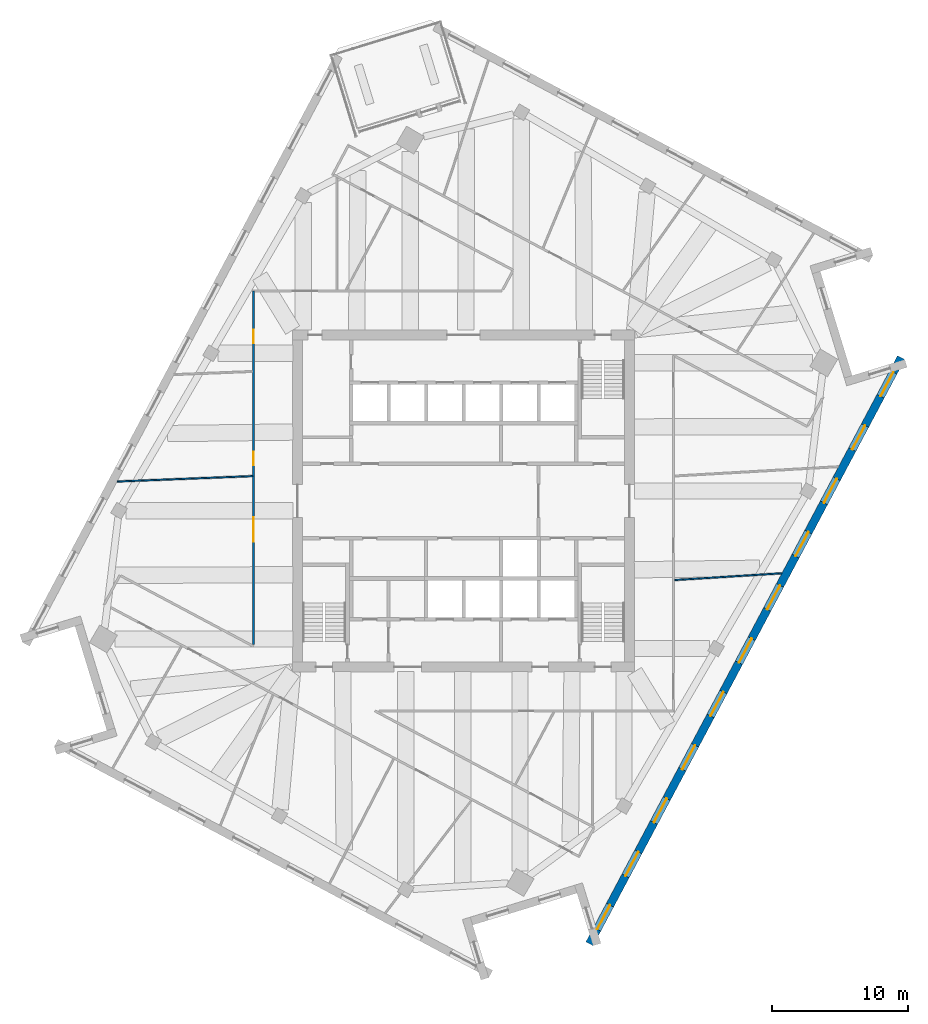
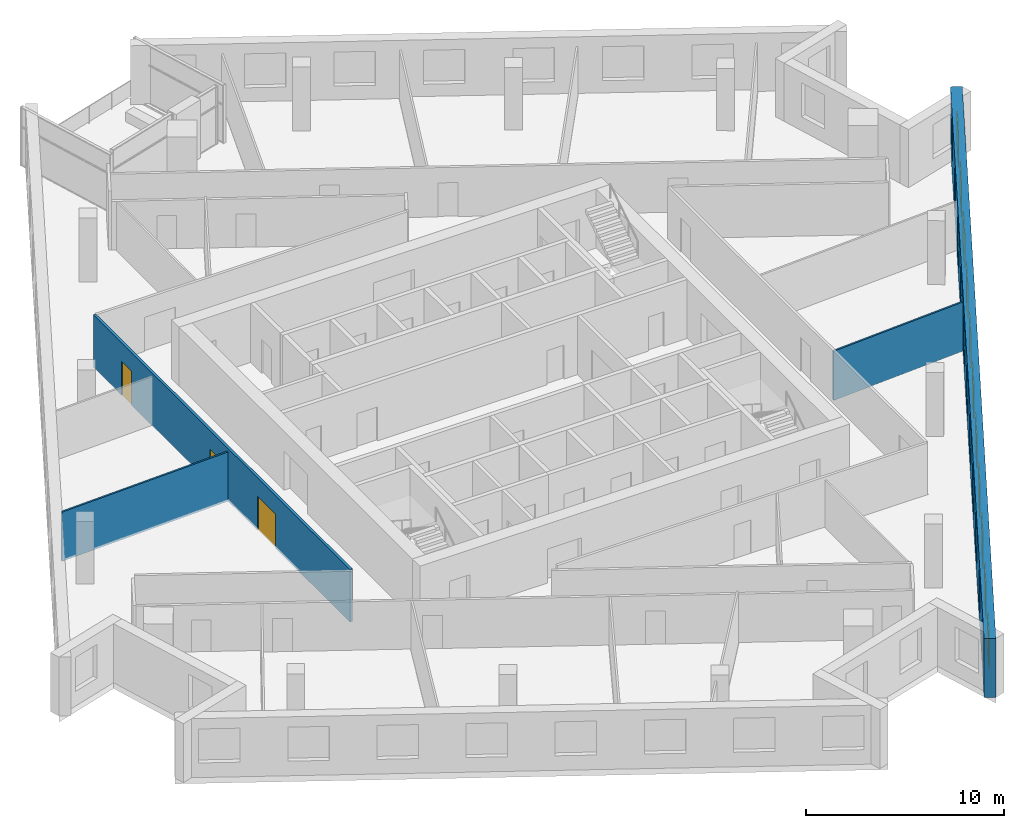
# One storey, part 8 of 13: 11 windows, 4 walls, 3 doors, 14 openings.
"""IFC4 building model written with IfcOpenShell, lengths in metres."""

from ifc_helpers import new_model, si_unit, direction, frame, frame_2d, origin, place, context, subcontext, project, spatial, rectangle, extrude, material, layer, layer_set, type_object, element, fill, save


model = new_model("IFC4")

# Units and contexts
model_context = context("Model", 3, precision=1e-05, world=origin(), true_north=direction((0.0, 1.0)))
body_context = subcontext(model_context, "Body", "Model", "MODEL_VIEW")
ifc_project = project(units=[si_unit("LENGTHUNIT", "METRE"), si_unit("AREAUNIT", "SQUARE_METRE"), si_unit("VOLUMEUNIT", "CUBIC_METRE"), si_unit("PLANEANGLEUNIT", "RADIAN"), si_unit("MASSUNIT", "GRAM", prefix="KILO")], contexts=[model_context])

# Site, building, storey
site_placement = place(None, origin())
site = spatial("IfcSite", under=ifc_project, at=site_placement, CompositionType="ELEMENT")
building_placement = place(site_placement, origin())
building = spatial("IfcBuilding", under=site, at=building_placement, Name="Dilmun Exchange Tower", CompositionType="ELEMENT")
storey_placement = place(building_placement, frame((0.0, 0.0, 274.89990234375)))
storey = spatial("IfcBuildingStorey", under=building, at=storey_placement, Name="L65", CompositionType="ELEMENT", Elevation=274.89990234375)

# Wall, openings, doors
ifc_material_1 = material(Name="Corridor wall 150")
ifc_layer_1 = layer(ifc_material_1, 0.14990234375)
ifc_layer_set_1 = layer_set([ifc_layer_1], Name="Corridor wall 150")
wall_type_1 = type_object("IfcWallType", Name="Corridor wall 150", PredefinedType="PARTITIONING", material=ifc_layer_set_1)
wall_1_placement = place(storey_placement, frame((-15.39990234375, -10.543212890625, 0.0), z_axis=(0.0, 0.0, 1.0), x_axis=(0.0, 1.0, 0.0)))
wall_1 = element("IfcWall", 1, at=wall_1_placement, inside=storey, type_object=wall_type_1, Name="Corridor wall", PredefinedType="PARTITIONING", context=body_context, shape_type="SweptSolid", body=[
    extrude(rectangle(XDim=25.943115234375, YDim=0.14990234375, at=frame_2d((12.9716796875, 0.0))), origin(), (0.0, 0.0, 1.0), 3.239990234375),
])
opening_1_placement = place(wall_1_placement, frame((7.550048828125, 0.0, 0.0)))
opening_1 = element("IfcOpeningElement", 2, at=opening_1_placement, cuts=wall_1, Name="Opening TF65-D01", PredefinedType="OPENING", context=body_context, shape_type="SweptSolid", body=[
    extrude(rectangle(XDim=1.800048828125, YDim=2.10009765625, at=frame_2d((0.89990234375, 1.050048828125))), frame((0.0, 0.0849609375, 0.0), z_axis=(0.0, -1.0, 0.0), x_axis=(1.0, 0.0, 0.0)), (0.0, 0.0, 1.0), 0.169921875),
])
opening_2_placement = place(wall_1_placement, frame((13.163818359375, 0.0, 0.0)))
opening_2 = element("IfcOpeningElement", 3, at=opening_2_placement, cuts=wall_1, Name="Opening TF65-D03", PredefinedType="OPENING", context=body_context, shape_type="SweptSolid", body=[
    extrude(rectangle(XDim=1.0, YDim=2.10009765625, at=frame_2d((0.5, 1.050048828125))), frame((0.0, 0.0849609375, 0.0), z_axis=(0.0, -1.0, 0.0), x_axis=(1.0, 0.0, 0.0)), (0.0, 0.0, 1.0), 0.169921875),
])
opening_3_placement = place(wall_1_placement, frame((22.088134765625, 0.0, 0.0)))
opening_3 = element("IfcOpeningElement", 4, at=opening_3_placement, cuts=wall_1, Name="Opening TF65-D07", PredefinedType="OPENING", context=body_context, shape_type="SweptSolid", body=[
    extrude(rectangle(XDim=1.0, YDim=2.10009765625, at=frame_2d((0.5, 1.050048828125))), frame((0.0, 0.0849609375, 0.0), z_axis=(0.0, -1.0, 0.0), x_axis=(1.0, 0.0, 0.0)), (0.0, 0.0, 1.0), 0.169921875),
])
ifc_material_2 = material(Name="Fire door 1000 x 2100")
door_type_1 = type_object("IfcDoorType", Name="Fire door 1000 x 2100", OperationType="NOTDEFINED", PredefinedType="DOOR", material=ifc_material_2)
door_1_placement = place(opening_2_placement, origin())
door_1 = element("IfcDoor", 5, at=door_1_placement, inside=storey, type_object=door_type_1, Name="Door TF65-D03", OperationType="SINGLE_SWING_RIGHT", OverallHeight=2.10009765625, OverallWidth=1.0, PredefinedType="DOOR", context=body_context, shape_type="SweptSolid", body=[
    extrude(rectangle(XDim=1.0, YDim=2.10009765625, at=frame_2d((0.5, 1.050048828125))), frame((0.0, 0.02490234375, 0.0), z_axis=(0.0, -1.0, 0.0), x_axis=(1.0, 0.0, 0.0)), (0.0, 0.0, 1.0), 0.050048828125),
])
fill(opening_2, door_1)
door_2_placement = place(opening_3_placement, origin())
door_2 = element("IfcDoor", 6, at=door_2_placement, inside=storey, type_object=door_type_1, Name="Door TF65-D07", OperationType="SINGLE_SWING_LEFT", OverallHeight=2.10009765625, OverallWidth=1.0, PredefinedType="DOOR", context=body_context, shape_type="SweptSolid", body=[
    extrude(rectangle(XDim=1.0, YDim=2.10009765625, at=frame_2d((0.5, 1.050048828125))), frame((0.0, 0.02490234375, 0.0), z_axis=(0.0, -1.0, 0.0), x_axis=(1.0, 0.0, 0.0)), (0.0, 0.0, 1.0), 0.050048828125),
])
fill(opening_3, door_2)
ifc_material_3 = material(Name="Fire door pair 1800 x 2100")
door_type_2 = type_object("IfcDoorType", Name="Fire door pair 1800 x 2100", OperationType="NOTDEFINED", PredefinedType="DOOR", material=ifc_material_3)
door_3_placement = place(opening_1_placement, origin())
door_3 = element("IfcDoor", 7, at=door_3_placement, inside=storey, type_object=door_type_2, Name="Door TF65-D01", OperationType="DOUBLE_DOOR_SINGLE_SWING", OverallHeight=2.10009765625, OverallWidth=1.800048828125, PredefinedType="DOOR", context=body_context, shape_type="SweptSolid", body=[
    extrude(rectangle(XDim=1.800048828125, YDim=2.10009765625, at=frame_2d((0.89990234375, 1.050048828125))), frame((0.0, 0.02490234375, 0.0), z_axis=(0.0, -1.0, 0.0), x_axis=(1.0, 0.0, 0.0)), (0.0, 0.0, 1.0), 0.050048828125),
])
fill(opening_1, door_3)

# Walls
ifc_material_4 = material(Name="Partition 100")
ifc_layer_2 = layer(ifc_material_4, 0.10009765625)
ifc_layer_set_2 = layer_set([ifc_layer_2], Name="Partition 100")
wall_type_2 = type_object("IfcWallType", Name="Partition 100", PredefinedType="PARTITIONING", material=ifc_layer_set_2)
wall_2_placement = place(storey_placement, frame((-25.404052734375, 1.421875, 0.0), z_axis=(0.0, 0.0, 1.0), x_axis=(0.999201390474, 0.039957243081, 0.0)))
element("IfcWall", 8, at=wall_2_placement, inside=storey, type_object=wall_type_2, Name="Partition", PredefinedType="PARTITIONING", context=body_context, shape_type="SweptSolid", body=[
    extrude(rectangle(XDim=9.934814453125, YDim=0.10009765625, at=frame_2d((4.96728515625, 0.0))), origin(), (0.0, 0.0, 1.0), 3.0400390625),
])
wall_3_placement = place(storey_placement, frame((15.47802734375, -5.802978515625, 0.0), z_axis=(0.0, 0.0, 1.0), x_axis=(0.9980255857, 0.062808680043, 0.0)))
element("IfcWall", 9, at=wall_3_placement, inside=storey, type_object=wall_type_2, Name="Partition", PredefinedType="PARTITIONING", context=body_context, shape_type="SweptSolid", body=[
    extrude(rectangle(XDim=7.875244140625, YDim=0.10009765625, at=frame_2d((3.9375, 0.0))), origin(), (0.0, 0.0, 1.0), 3.0400390625),
])

# Wall, openings, windows
ifc_material_5 = material(Name="Precast concrete C50/60", Category="concrete")
ifc_layer_3 = layer(ifc_material_5, 0.60009765625)
ifc_layer_set_3 = layer_set([ifc_layer_3], Name="Precast concrete C50/60")
wall_type_3 = type_object("IfcWallType", Name="Precast stone-clad wall 600", PredefinedType="STANDARD", material=ifc_layer_set_3)
wall_4_placement = place(storey_placement, frame((9.232666015625, -32.4794921875, 0.0), z_axis=(0.0, 0.0, 1.0), x_axis=(0.469468429065, 0.882949259081, 0.0)))
wall_4 = element("IfcWall", 10, at=wall_4_placement, inside=storey, type_object=wall_type_3, Name="Facade wall L65-11", PredefinedType="STANDARD", context=body_context, shape_type="SweptSolid", body=[
    extrude(rectangle(XDim=48.686279296875, YDim=0.60009765625, at=frame_2d((24.34326171875, 0.0))), origin(), (0.0, 0.0, 1.0), 3.64013671875),
])
opening_4_placement = place(wall_4_placement, frame((1.212890625, 0.0, 0.89990234375)))
opening_4 = element("IfcOpeningElement", 11, at=opening_4_placement, cuts=wall_4, Name="Opening W200-210", PredefinedType="OPENING", context=body_context, shape_type="SweptSolid", body=[
    extrude(rectangle(XDim=2.0, YDim=2.10009765625, at=frame_2d((1.0, 1.050048828125))), frame((0.0, 0.31005859375, 0.0), z_axis=(0.0, -1.0, 0.0), x_axis=(1.0, 0.0, 0.0)), (0.0, 0.0, 1.0), 0.6201171875),
])
opening_5_placement = place(wall_4_placement, frame((5.638916015625, 0.0, 0.89990234375)))
opening_5 = element("IfcOpeningElement", 12, at=opening_5_placement, cuts=wall_4, Name="Opening W200-210", PredefinedType="OPENING", context=body_context, shape_type="SweptSolid", body=[
    extrude(rectangle(XDim=2.0, YDim=2.10009765625, at=frame_2d((1.0, 1.050048828125))), frame((0.0, 0.31005859375, 0.0), z_axis=(0.0, -1.0, 0.0), x_axis=(1.0, 0.0, 0.0)), (0.0, 0.0, 1.0), 0.6201171875),
])
opening_6_placement = place(wall_4_placement, frame((10.065185546875, 0.0, 0.89990234375)))
opening_6 = element("IfcOpeningElement", 13, at=opening_6_placement, cuts=wall_4, Name="Opening W200-210", PredefinedType="OPENING", context=body_context, shape_type="SweptSolid", body=[
    extrude(rectangle(XDim=2.0, YDim=2.10009765625, at=frame_2d((1.0, 1.050048828125))), frame((0.0, 0.31005859375, 0.0), z_axis=(0.0, -1.0, 0.0), x_axis=(1.0, 0.0, 0.0)), (0.0, 0.0, 1.0), 0.6201171875),
])
opening_7_placement = place(wall_4_placement, frame((14.4912109375, 0.0, 0.89990234375)))
opening_7 = element("IfcOpeningElement", 14, at=opening_7_placement, cuts=wall_4, Name="Opening W200-210", PredefinedType="OPENING", context=body_context, shape_type="SweptSolid", body=[
    extrude(rectangle(XDim=2.0, YDim=2.10009765625, at=frame_2d((1.0, 1.050048828125))), frame((0.0, 0.31005859375, 0.0), z_axis=(0.0, -1.0, 0.0), x_axis=(1.0, 0.0, 0.0)), (0.0, 0.0, 1.0), 0.6201171875),
])
opening_8_placement = place(wall_4_placement, frame((18.9169921875, 0.0, 0.89990234375)))
opening_8 = element("IfcOpeningElement", 15, at=opening_8_placement, cuts=wall_4, Name="Opening W200-210", PredefinedType="OPENING", context=body_context, shape_type="SweptSolid", body=[
    extrude(rectangle(XDim=2.0, YDim=2.10009765625, at=frame_2d((1.0, 1.050048828125))), frame((0.0, 0.31005859375, 0.0), z_axis=(0.0, -1.0, 0.0), x_axis=(1.0, 0.0, 0.0)), (0.0, 0.0, 1.0), 0.6201171875),
])
opening_9_placement = place(wall_4_placement, frame((23.343017578125, 0.0, 0.89990234375)))
opening_9 = element("IfcOpeningElement", 16, at=opening_9_placement, cuts=wall_4, Name="Opening W200-210", PredefinedType="OPENING", context=body_context, shape_type="SweptSolid", body=[
    extrude(rectangle(XDim=2.0, YDim=2.10009765625, at=frame_2d((1.0, 1.050048828125))), frame((0.0, 0.31005859375, 0.0), z_axis=(0.0, -1.0, 0.0), x_axis=(1.0, 0.0, 0.0)), (0.0, 0.0, 1.0), 0.6201171875),
])
opening_10_placement = place(wall_4_placement, frame((27.769287109375, 0.0, 0.89990234375)))
opening_10 = element("IfcOpeningElement", 17, at=opening_10_placement, cuts=wall_4, Name="Opening W200-210", PredefinedType="OPENING", context=body_context, shape_type="SweptSolid", body=[
    extrude(rectangle(XDim=2.0, YDim=2.10009765625, at=frame_2d((1.0, 1.050048828125))), frame((0.0, 0.31005859375, 0.0), z_axis=(0.0, -1.0, 0.0), x_axis=(1.0, 0.0, 0.0)), (0.0, 0.0, 1.0), 0.6201171875),
])
opening_11_placement = place(wall_4_placement, frame((32.1953125, 0.0, 0.89990234375)))
opening_11 = element("IfcOpeningElement", 18, at=opening_11_placement, cuts=wall_4, Name="Opening W200-210", PredefinedType="OPENING", context=body_context, shape_type="SweptSolid", body=[
    extrude(rectangle(XDim=2.0, YDim=2.10009765625, at=frame_2d((1.0, 1.050048828125))), frame((0.0, 0.31005859375, 0.0), z_axis=(0.0, -1.0, 0.0), x_axis=(1.0, 0.0, 0.0)), (0.0, 0.0, 1.0), 0.6201171875),
])
opening_12_placement = place(wall_4_placement, frame((36.62109375, 0.0, 0.89990234375)))
opening_12 = element("IfcOpeningElement", 19, at=opening_12_placement, cuts=wall_4, Name="Opening W200-210", PredefinedType="OPENING", context=body_context, shape_type="SweptSolid", body=[
    extrude(rectangle(XDim=2.0, YDim=2.10009765625, at=frame_2d((1.0, 1.050048828125))), frame((0.0, 0.31005859375, 0.0), z_axis=(0.0, -1.0, 0.0), x_axis=(1.0, 0.0, 0.0)), (0.0, 0.0, 1.0), 0.6201171875),
])
opening_13_placement = place(wall_4_placement, frame((41.04736328125, 0.0, 0.89990234375)))
opening_13 = element("IfcOpeningElement", 20, at=opening_13_placement, cuts=wall_4, Name="Opening W200-210", PredefinedType="OPENING", context=body_context, shape_type="SweptSolid", body=[
    extrude(rectangle(XDim=2.0, YDim=2.10009765625, at=frame_2d((1.0, 1.050048828125))), frame((0.0, 0.31005859375, 0.0), z_axis=(0.0, -1.0, 0.0), x_axis=(1.0, 0.0, 0.0)), (0.0, 0.0, 1.0), 0.6201171875),
])
opening_14_placement = place(wall_4_placement, frame((45.473388671875, 0.0, 0.89990234375)))
opening_14 = element("IfcOpeningElement", 21, at=opening_14_placement, cuts=wall_4, Name="Opening W200-210", PredefinedType="OPENING", context=body_context, shape_type="SweptSolid", body=[
    extrude(rectangle(XDim=2.0, YDim=2.10009765625, at=frame_2d((1.0, 1.050048828125))), frame((0.0, 0.31005859375, 0.0), z_axis=(0.0, -1.0, 0.0), x_axis=(1.0, 0.0, 0.0)), (0.0, 0.0, 1.0), 0.6201171875),
])
ifc_material_6 = material(Name="Clear low-emissivity glass in aluminium frame", Category="aluminium")
window_type = type_object("IfcWindowType", Name="Punched window 2000 x 2100", PartitioningType="DOUBLE_PANEL_VERTICAL", PredefinedType="WINDOW", material=ifc_material_6)
window_1_placement = place(opening_4_placement, origin())
window_1 = element("IfcWindow", 22, at=window_1_placement, inside=storey, type_object=window_type, Name="Window 12.1", OverallHeight=2.10009765625, OverallWidth=2.0, PartitioningType="SINGLE_PANEL", PredefinedType="WINDOW", context=body_context, shape_type="SweptSolid", body=[
    extrude(rectangle(XDim=2.0, YDim=2.10009765625, at=frame_2d((1.0, 1.050048828125))), frame((0.0, 0.030029296875, 0.0), z_axis=(0.0, -1.0, 0.0), x_axis=(1.0, 0.0, 0.0)), (0.0, 0.0, 1.0), 0.06005859375),
])
fill(opening_4, window_1)
window_2_placement = place(opening_5_placement, origin())
window_2 = element("IfcWindow", 23, at=window_2_placement, inside=storey, type_object=window_type, Name="Window 12.2", OverallHeight=2.10009765625, OverallWidth=2.0, PartitioningType="SINGLE_PANEL", PredefinedType="WINDOW", context=body_context, shape_type="SweptSolid", body=[
    extrude(rectangle(XDim=2.0, YDim=2.10009765625, at=frame_2d((1.0, 1.050048828125))), frame((0.0, 0.030029296875, 0.0), z_axis=(0.0, -1.0, 0.0), x_axis=(1.0, 0.0, 0.0)), (0.0, 0.0, 1.0), 0.06005859375),
])
fill(opening_5, window_2)
window_3_placement = place(opening_6_placement, origin())
window_3 = element("IfcWindow", 24, at=window_3_placement, inside=storey, type_object=window_type, Name="Window 12.3", OverallHeight=2.10009765625, OverallWidth=2.0, PartitioningType="SINGLE_PANEL", PredefinedType="WINDOW", context=body_context, shape_type="SweptSolid", body=[
    extrude(rectangle(XDim=2.0, YDim=2.10009765625, at=frame_2d((1.0, 1.050048828125))), frame((0.0, 0.030029296875, 0.0), z_axis=(0.0, -1.0, 0.0), x_axis=(1.0, 0.0, 0.0)), (0.0, 0.0, 1.0), 0.06005859375),
])
fill(opening_6, window_3)
window_4_placement = place(opening_7_placement, origin())
window_4 = element("IfcWindow", 25, at=window_4_placement, inside=storey, type_object=window_type, Name="Window 12.4", OverallHeight=2.10009765625, OverallWidth=2.0, PartitioningType="SINGLE_PANEL", PredefinedType="WINDOW", context=body_context, shape_type="SweptSolid", body=[
    extrude(rectangle(XDim=2.0, YDim=2.10009765625, at=frame_2d((1.0, 1.050048828125))), frame((0.0, 0.030029296875, 0.0), z_axis=(0.0, -1.0, 0.0), x_axis=(1.0, 0.0, 0.0)), (0.0, 0.0, 1.0), 0.06005859375),
])
fill(opening_7, window_4)
window_5_placement = place(opening_8_placement, origin())
window_5 = element("IfcWindow", 26, at=window_5_placement, inside=storey, type_object=window_type, Name="Window 12.5", OverallHeight=2.10009765625, OverallWidth=2.0, PartitioningType="SINGLE_PANEL", PredefinedType="WINDOW", context=body_context, shape_type="SweptSolid", body=[
    extrude(rectangle(XDim=2.0, YDim=2.10009765625, at=frame_2d((1.0, 1.050048828125))), frame((0.0, 0.030029296875, 0.0), z_axis=(0.0, -1.0, 0.0), x_axis=(1.0, 0.0, 0.0)), (0.0, 0.0, 1.0), 0.06005859375),
])
fill(opening_8, window_5)
window_6_placement = place(opening_9_placement, origin())
window_6 = element("IfcWindow", 27, at=window_6_placement, inside=storey, type_object=window_type, Name="Window 12.6", OverallHeight=2.10009765625, OverallWidth=2.0, PartitioningType="SINGLE_PANEL", PredefinedType="WINDOW", context=body_context, shape_type="SweptSolid", body=[
    extrude(rectangle(XDim=2.0, YDim=2.10009765625, at=frame_2d((1.0, 1.050048828125))), frame((0.0, 0.030029296875, 0.0), z_axis=(0.0, -1.0, 0.0), x_axis=(1.0, 0.0, 0.0)), (0.0, 0.0, 1.0), 0.06005859375),
])
fill(opening_9, window_6)
window_7_placement = place(opening_10_placement, origin())
window_7 = element("IfcWindow", 28, at=window_7_placement, inside=storey, type_object=window_type, Name="Window 12.7", OverallHeight=2.10009765625, OverallWidth=2.0, PartitioningType="SINGLE_PANEL", PredefinedType="WINDOW", context=body_context, shape_type="SweptSolid", body=[
    extrude(rectangle(XDim=2.0, YDim=2.10009765625, at=frame_2d((1.0, 1.050048828125))), frame((0.0, 0.030029296875, 0.0), z_axis=(0.0, -1.0, 0.0), x_axis=(1.0, 0.0, 0.0)), (0.0, 0.0, 1.0), 0.06005859375),
])
fill(opening_10, window_7)
window_8_placement = place(opening_11_placement, origin())
window_8 = element("IfcWindow", 29, at=window_8_placement, inside=storey, type_object=window_type, Name="Window 12.8", OverallHeight=2.10009765625, OverallWidth=2.0, PartitioningType="SINGLE_PANEL", PredefinedType="WINDOW", context=body_context, shape_type="SweptSolid", body=[
    extrude(rectangle(XDim=2.0, YDim=2.10009765625, at=frame_2d((1.0, 1.050048828125))), frame((0.0, 0.030029296875, 0.0), z_axis=(0.0, -1.0, 0.0), x_axis=(1.0, 0.0, 0.0)), (0.0, 0.0, 1.0), 0.06005859375),
])
fill(opening_11, window_8)
window_9_placement = place(opening_12_placement, origin())
window_9 = element("IfcWindow", 30, at=window_9_placement, inside=storey, type_object=window_type, Name="Window 12.9", OverallHeight=2.10009765625, OverallWidth=2.0, PartitioningType="SINGLE_PANEL", PredefinedType="WINDOW", context=body_context, shape_type="SweptSolid", body=[
    extrude(rectangle(XDim=2.0, YDim=2.10009765625, at=frame_2d((1.0, 1.050048828125))), frame((0.0, 0.030029296875, 0.0), z_axis=(0.0, -1.0, 0.0), x_axis=(1.0, 0.0, 0.0)), (0.0, 0.0, 1.0), 0.06005859375),
])
fill(opening_12, window_9)
window_10_placement = place(opening_13_placement, origin())
window_10 = element("IfcWindow", 31, at=window_10_placement, inside=storey, type_object=window_type, Name="Window 12.10", OverallHeight=2.10009765625, OverallWidth=2.0, PartitioningType="SINGLE_PANEL", PredefinedType="WINDOW", context=body_context, shape_type="SweptSolid", body=[
    extrude(rectangle(XDim=2.0, YDim=2.10009765625, at=frame_2d((1.0, 1.050048828125))), frame((0.0, 0.030029296875, 0.0), z_axis=(0.0, -1.0, 0.0), x_axis=(1.0, 0.0, 0.0)), (0.0, 0.0, 1.0), 0.06005859375),
])
fill(opening_13, window_10)
window_11_placement = place(opening_14_placement, origin())
window_11 = element("IfcWindow", 32, at=window_11_placement, inside=storey, type_object=window_type, Name="Window 12.11", OverallHeight=2.10009765625, OverallWidth=2.0, PartitioningType="SINGLE_PANEL", PredefinedType="WINDOW", context=body_context, shape_type="SweptSolid", body=[
    extrude(rectangle(XDim=2.0, YDim=2.10009765625, at=frame_2d((1.0, 1.050048828125))), frame((0.0, 0.030029296875, 0.0), z_axis=(0.0, -1.0, 0.0), x_axis=(1.0, 0.0, 0.0)), (0.0, 0.0, 1.0), 0.06005859375),
])
fill(opening_14, window_11)

save(model, "model.ifc")
